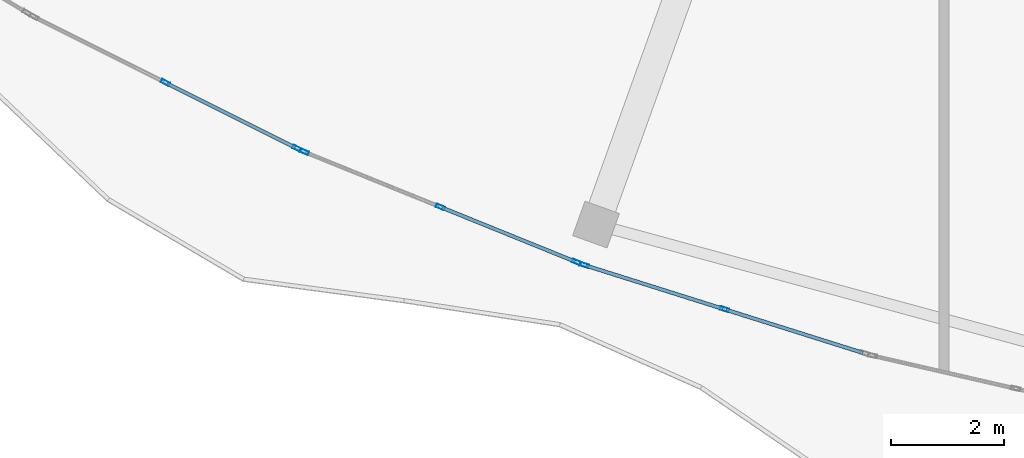
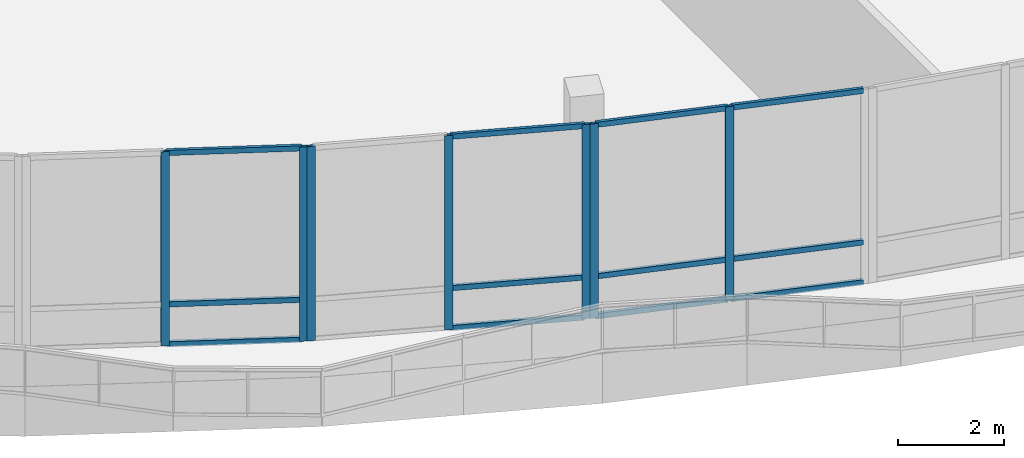
# One storey, part 13 of 155: 19 members, 3 elements without a shape of their own.
"""IFC4 building model written with IfcOpenShell, lengths in metres."""

import ifcopenshell
import ifcopenshell.guid

model = None  # the IFC model being written
_history = None  # IfcOwnerHistory: only IFC2X3 demands one
_inside = {}  # id of a spatial element -> (the spatial element, [elements in it])
_under = {}  # id of a project, library or spatial element -> (it, [spatial elements below it])
_declared = {}  # id of a project -> (the project, [libraries it declares])
_typed = {}  # id of a type object -> (the type object, [elements of that type])
_made_of = {}  # id of a material, layer set ... -> (it, [elements and type objects made of it])


def new_model(schema):
    """Start an empty IFC model of exactly this schema.

    Asked for "IFC4X3", IfcOpenShell would pick the latest addendum, in which some entities
    have other attributes; the version numbers below select the first issue.
    IFC2X3 requires an IfcOwnerHistory on every rooted entity: one is made here for all.
    """
    global model, _history
    if schema == "IFC4X3":
        model = ifcopenshell.file(schema_version=(4, 3, 0, 0))
    else:
        model = ifcopenshell.file(schema=schema)
    _inside.clear()
    _under.clear()
    _declared.clear()
    _typed.clear()
    _made_of.clear()
    _history = None
    if model.schema == "IFC2X3":
        org = make("IfcOrganization", Name="unknown")
        user = make(
            "IfcPersonAndOrganization",
            ThePerson=make("IfcPerson", FamilyName="unknown"),
            TheOrganization=org,
        )
        app = make(
            "IfcApplication",
            ApplicationDeveloper=org,
            Version="unknown",
            ApplicationFullName="unknown",
            ApplicationIdentifier="unknown",
        )
        _history = make(
            "IfcOwnerHistory",
            OwningUser=user,
            OwningApplication=app,
            ChangeAction="ADDED",
            CreationDate=0,
        )
    return model


def make(cls, **values):
    """One entity of the class cls with the attributes given. An attribute that is None is left unset."""
    return model.create_entity(
        cls, **{name: value for name, value in values.items() if value is not None}
    )


def rooted(cls, **values):
    """An entity with a GlobalId (a new one), such as an element, a storey or a relation."""
    return make(cls, GlobalId=ifcopenshell.guid.new(), OwnerHistory=_history, **values)


def si_unit(unit_type, name, prefix=None):
    """IfcSIUnit, for example si_unit("LENGTHUNIT", "METRE", prefix="MILLI")."""
    return make("IfcSIUnit", UnitType=unit_type, Prefix=prefix, Name=name)


def assignment(units):
    """IfcUnitAssignment: the units of a project."""
    return None if units is None else make("IfcUnitAssignment", Units=units)


def point(xyz):
    """IfcCartesianPoint."""
    return None if xyz is None else make("IfcCartesianPoint", Coordinates=xyz)


def direction(xyz):
    """IfcDirection."""
    return None if xyz is None else make("IfcDirection", DirectionRatios=xyz)


def frame(location, z_axis=None, x_axis=None):
    """IfcAxis2Placement3D, a coordinate frame: its origin and axes. An axis left out is left unset."""
    return make(
        "IfcAxis2Placement3D",
        Location=point(location),
        Axis=direction(z_axis),
        RefDirection=direction(x_axis),
    )


def frame_2d(location, x_axis=None):
    """IfcAxis2Placement2D, a coordinate frame in the plane: its origin and x axis."""
    return make(
        "IfcAxis2Placement2D", Location=point(location), RefDirection=direction(x_axis)
    )


def origin():
    """The frame at (0, 0, 0) with its axes left unset."""
    return frame((0.0, 0.0, 0.0))


def origin_2d():
    """The frame at (0, 0) in the plane with its x axis left unset."""
    return frame_2d((0.0, 0.0))


def place(relative_to, where):
    """IfcLocalPlacement: puts the frame where relative to a parent placement (None: the world)."""
    return make(
        "IfcLocalPlacement", PlacementRelTo=relative_to, RelativePlacement=where
    )


def context(
    kind, dimensions, precision=None, world=None, true_north=None, identifier=None
):
    """IfcGeometricRepresentationContext, for example the 3D "Model" context."""
    return make(
        "IfcGeometricRepresentationContext",
        ContextIdentifier=identifier,
        ContextType=kind,
        CoordinateSpaceDimension=dimensions,
        Precision=precision,
        WorldCoordinateSystem=world,
        TrueNorth=true_north,
    )


def subcontext(parent, identifier, kind, view, scale=None):
    """IfcGeometricRepresentationSubContext, for example "Body" below "Model"."""
    return make(
        "IfcGeometricRepresentationSubContext",
        ContextIdentifier=identifier,
        ContextType=kind,
        ParentContext=parent,
        TargetScale=scale,
        TargetView=view,
    )


def project(units=None, contexts=None):
    """IfcProject with its units and contexts."""
    return rooted(
        "IfcProject",
        Name="project",
        RepresentationContexts=contexts,
        UnitsInContext=assignment(units),
    )


def spatial(cls, under=None, at=None, **own):
    """A site, building, storey or space (cls), placed at a placement, below another one or the project."""
    s = rooted(cls, ObjectPlacement=at, **own)
    if under is not None:
        _under.setdefault(under.id(), (under, []))[1].append(s)
    return s


def profile(cls, at=None, kind="AREA", **sizes):
    """A parametric profile (cls). Its sizes go by their IFC names, for example OverallWidth=200.0."""
    return make(cls, ProfileType=kind, Position=at, **sizes)


def hollow_rectangle(**sizes):
    """IfcRectangleHollowProfileDef."""
    return profile("IfcRectangleHollowProfileDef", **sizes)


def extrude(swept, where, along, depth):
    """IfcExtrudedAreaSolid: the profile swept, set in the frame where, extruded along a direction by depth."""
    return make(
        "IfcExtrudedAreaSolid",
        SweptArea=swept,
        Position=where,
        ExtrudedDirection=direction(along),
        Depth=depth,
    )


def shape(context_of_items, identifier, shape_type, items):
    """IfcShapeRepresentation: the items that make up one representation, for example the "Body"."""
    return make(
        "IfcShapeRepresentation",
        ContextOfItems=context_of_items,
        RepresentationIdentifier=identifier,
        RepresentationType=shape_type,
        Items=items,
    )


def material(Name=None, Category=None):
    """IfcMaterial."""
    return make("IfcMaterial", Name=Name, Category=Category)


def material_profile(
    of_material, cross_section, Name=None, Category=None, Priority=None
):
    """IfcMaterialProfile: a cross section and its material."""
    return make(
        "IfcMaterialProfile",
        Name=Name,
        Material=of_material,
        Profile=cross_section,
        Priority=Priority,
        Category=Category,
    )


def profile_set(profiles, Name=None, composite=None):
    """IfcMaterialProfileSet."""
    return make(
        "IfcMaterialProfileSet",
        Name=Name,
        MaterialProfiles=profiles,
        CompositeProfile=composite,
    )


def made_of(thing, what):
    """Note that an element or type object is made of a material, layer set ...; save() writes the relation."""
    if what is not None:
        _made_of.setdefault(what.id(), (what, []))[1].append(thing)
    return thing


def type_object(cls, material=None, **own):
    """A type object (cls), such as IfcWallType, which elements share."""
    return made_of(rooted(cls, **own), material)


def element(
    cls,
    number,
    at=None,
    inside=None,
    cuts=None,
    type_object=None,
    material=None,
    context=None,
    identifier="Body",
    shape_type=None,
    held_by="IfcProductDefinitionShape",
    body=None,
    shapes=None,
    **own,
):
    """One element of the class cls, such as IfcWall. Its Tag is "e" and its number.

    at: its placement. inside: the storey or other place that contains it. cuts: it is an
    opening in that element (IfcRelVoidsElement). A single representation is given by context,
    identifier, shape_type and body (its items); several are given by shapes. held_by: the class
    of the entity that holds the representations. save() writes the other relations.
    """
    e = rooted(cls, Tag="e%d" % number, ObjectPlacement=at, **own)
    if body is not None:
        shapes = [shape(context, identifier, shape_type, body)]
    if shapes is not None:
        e.Representation = make(held_by, Representations=shapes)
    if inside is not None:
        _inside.setdefault(inside.id(), (inside, []))[1].append(e)
    if cuts is not None:
        rooted(
            "IfcRelVoidsElement", RelatingBuildingElement=cuts, RelatedOpeningElement=e
        )
    if type_object is not None:
        _typed.setdefault(type_object.id(), (type_object, []))[1].append(e)
    return made_of(e, material)


def aggregate(whole, parts):
    """IfcRelAggregates: a whole, such as a stair, and the parts it consists of."""
    return rooted("IfcRelAggregates", RelatingObject=whole, RelatedObjects=parts)


def save(model, path):
    """Write the relations noted so far, then the file.

    IfcRelAggregates (storeys below a building ...), IfcRelContainedInSpatialStructure (elements
    in a storey), IfcRelDefinesByType, IfcRelAssociatesMaterial and IfcRelDeclares: one each for
    every whole, place, type object, material and project.
    """
    for whole, parts in _under.values():
        aggregate(whole, parts)
    for where, things in _inside.values():
        rooted(
            "IfcRelContainedInSpatialStructure",
            RelatedElements=things,
            RelatingStructure=where,
        )
    for kind, things in _typed.values():
        rooted("IfcRelDefinesByType", RelatedObjects=things, RelatingType=kind)
    for what, things in _made_of.values():
        rooted("IfcRelAssociatesMaterial", RelatedObjects=things, RelatingMaterial=what)
    for by, libraries in _declared.values():
        rooted("IfcRelDeclares", RelatingContext=by, RelatedDefinitions=libraries)
    model.write(path)


model = new_model("IFC4")

# Units and contexts
model_context = context("Model", 3, precision=1e-05, world=origin(), true_north=direction((0.0, 1.0)))
body_context = subcontext(model_context, "Body", "Model", "MODEL_VIEW")
ifc_project = project(units=[si_unit("LENGTHUNIT", "METRE"), si_unit("AREAUNIT", "SQUARE_METRE"), si_unit("VOLUMEUNIT", "CUBIC_METRE"), si_unit("PLANEANGLEUNIT", "RADIAN"), si_unit("MASSUNIT", "GRAM", prefix="KILO")], contexts=[model_context])

# Site, building, storey
site_placement = place(None, origin())
site = spatial("IfcSite", under=ifc_project, at=site_placement, CompositionType="ELEMENT")
building_placement = place(site_placement, origin())
building = spatial("IfcBuilding", under=site, at=building_placement, Name="Selatvlak General Hospital", CompositionType="ELEMENT")
storey_placement = place(building_placement, frame((0.0, 0.0, 10.199951171875)))
storey = spatial("IfcBuildingStorey", under=building, at=storey_placement, Name="L02", CompositionType="ELEMENT", Elevation=10.199951171875)

# Curtain wall, members
ifc_material_1 = material(Name="Solar-control Low-E double glazing", Category="glass")
curtain_wall_type_1 = type_object("IfcCurtainWallType", Name="CW-CW-02", PredefinedType="USERDEFINED", material=ifc_material_1)
curtain_wall_1_placement = place(storey_placement, origin())
curtain_wall_1 = element("IfcCurtainWall", 1, at=curtain_wall_1_placement, inside=storey, type_object=curtain_wall_type_1, Name="Glazed facade curtain wall CW-L02-0310", ObjectType="UNITISED CURTAIN WALL", PredefinedType="USERDEFINED")
ifc_material_2 = material(Name="Dark anodised aluminium mullion", Category="aluminium")
ifc_material_profile_1 = material_profile(ifc_material_2, hollow_rectangle(XDim=0.06494140625, YDim=0.159912109375, WallThickness=0.00390625, at=origin_2d()), Name="AL-MUL 65x160x4")
ifc_profile_set_1 = profile_set([ifc_material_profile_1], Name="Dark anodised aluminium mullion")
member_type_1 = type_object("IfcMemberType", Name="CWM-01", PredefinedType="MULLION", material=ifc_profile_set_1)
member_1_placement = place(storey_placement, frame((35.700439453125, 15.180908203125, 0.0), z_axis=(0.0, 0.0, 1.0), x_axis=(-0.30046120424, -0.953794036858, 0.0)))
member_1 = element("IfcMember", 2, at=member_1_placement, type_object=member_type_1, Name="CW-02 mullion 2", PredefinedType="MULLION", context=body_context, shape_type="SweptSolid", body=[
    extrude(hollow_rectangle(XDim=0.06494140625, YDim=0.159912109375, WallThickness=0.00390625, at=origin_2d()), origin(), (0.0, 0.0, 1.0), 4.4599609375),
])
member_2_placement = place(storey_placement, frame((33.2109375, 15.96533203125, 0.0), z_axis=(0.0, 0.0, 1.0), x_axis=(-0.30046120424, -0.953794036858, 0.0)))
member_2 = element("IfcMember", 3, at=member_2_placement, type_object=member_type_1, Name="CW-02 mullion 3", PredefinedType="MULLION", context=body_context, shape_type="SweptSolid", body=[
    extrude(hollow_rectangle(XDim=0.06494140625, YDim=0.159912109375, WallThickness=0.00390625, at=origin_2d()), origin(), (0.0, 0.0, 1.0), 4.4599609375),
])

curtain_wall_type_2 = type_object("IfcCurtainWallType", Name="CW-CW-01", PredefinedType="USERDEFINED", material=ifc_material_1)
curtain_wall_2_placement = place(storey_placement, origin())
curtain_wall_2 = element("IfcCurtainWall", 4, at=curtain_wall_2_placement, inside=storey, type_object=curtain_wall_type_2, Name="Glazed facade curtain wall CW-L02-0311", ObjectType="UNITISED CURTAIN WALL", PredefinedType="USERDEFINED")
member_3_placement = place(storey_placement, frame((33.075927734375, 16.01708984375, 0.0), z_axis=(0.0, 0.0, 1.0), x_axis=(-0.375301112069, -0.926902948145, 0.0)))
member_3 = element("IfcMember", 5, at=member_3_placement, type_object=member_type_1, Name="CW-01 mullion 1", PredefinedType="MULLION", context=body_context, shape_type="SweptSolid", body=[
    extrude(hollow_rectangle(XDim=0.06494140625, YDim=0.159912109375, WallThickness=0.00390625, at=origin_2d()), origin(), (0.0, 0.0, 1.0), 4.4599609375),
])
member_4_placement = place(storey_placement, frame((30.656005859375, 16.9970703125, 0.0), z_axis=(0.0, 0.0, 1.0), x_axis=(-0.375301112069, -0.926902948145, 0.0)))
member_4 = element("IfcMember", 6, at=member_4_placement, type_object=member_type_1, Name="CW-01 mullion 2", PredefinedType="MULLION", context=body_context, shape_type="SweptSolid", body=[
    extrude(hollow_rectangle(XDim=0.06494140625, YDim=0.159912109375, WallThickness=0.00390625, at=origin_2d()), origin(), (0.0, 0.0, 1.0), 4.4599609375),
])
member_5_placement = place(storey_placement, frame((28.236083984375, 17.976806640625, 0.0), z_axis=(0.0, 0.0, 1.0), x_axis=(-0.375301112069, -0.926902948145, 0.0)))
member_5 = element("IfcMember", 7, at=member_5_placement, type_object=member_type_1, Name="CW-01 mullion 3", PredefinedType="MULLION", context=body_context, shape_type="SweptSolid", body=[
    extrude(hollow_rectangle(XDim=0.06494140625, YDim=0.159912109375, WallThickness=0.00390625, at=origin_2d()), origin(), (0.0, 0.0, 1.0), 4.4599609375),
])

curtain_wall_3_placement = place(storey_placement, origin())
curtain_wall_3 = element("IfcCurtainWall", 8, at=curtain_wall_3_placement, inside=storey, type_object=curtain_wall_type_1, Name="Glazed facade curtain wall CW-L02-0312", ObjectType="UNITISED CURTAIN WALL", PredefinedType="USERDEFINED")
member_6_placement = place(storey_placement, frame((28.10498046875, 18.03857421875, 0.0), z_axis=(0.0, 0.0, 1.0), x_axis=(-0.44759190875, -0.894237934345, 0.0)))
member_6 = element("IfcMember", 9, at=member_6_placement, type_object=member_type_1, Name="CW-02 mullion 1", PredefinedType="MULLION", context=body_context, shape_type="SweptSolid", body=[
    extrude(hollow_rectangle(XDim=0.06494140625, YDim=0.159912109375, WallThickness=0.00390625, at=origin_2d()), origin(), (0.0, 0.0, 1.0), 4.4599609375),
])
member_7_placement = place(storey_placement, frame((25.7705078125, 19.20703125, 0.0), z_axis=(0.0, 0.0, 1.0), x_axis=(-0.44759190875, -0.894237934345, 0.0)))
member_7 = element("IfcMember", 10, at=member_7_placement, type_object=member_type_1, Name="CW-02 mullion 2", PredefinedType="MULLION", context=body_context, shape_type="SweptSolid", body=[
    extrude(hollow_rectangle(XDim=0.06494140625, YDim=0.159912109375, WallThickness=0.00390625, at=origin_2d()), origin(), (0.0, 0.0, 1.0), 4.4599609375),
])

# Member
ifc_material_profile_2 = material_profile(ifc_material_2, hollow_rectangle(XDim=0.06494140625, YDim=0.1201171875, WallThickness=0.00390625, at=origin_2d()), Name="AL-TRN 65x120x4")
ifc_profile_set_2 = profile_set([ifc_material_profile_2], Name="Dark anodised aluminium mullion")
member_type_2 = type_object("IfcMemberType", Name="CWT-01", PredefinedType="USERDEFINED", material=ifc_profile_set_2)
member_8_placement = place(storey_placement, frame((38.158935546875, 14.406494140625, 0.032470703125), z_axis=(-0.953799882709, 0.300442646349, 0.0), x_axis=(-0.300442646349, -0.953799882709, 0.0)))
member_8 = element("IfcMember", 11, at=member_8_placement, type_object=member_type_2, Name="CW-02 transom 1.1", ObjectType="TRANSOM", PredefinedType="USERDEFINED", context=body_context, shape_type="SweptSolid", body=[
    extrude(hollow_rectangle(XDim=0.06494140625, YDim=0.1201171875, WallThickness=0.00390625, at=origin_2d()), origin(), (0.0, 0.0, 1.0), 2.545166015625),
])

member_9_placement = place(storey_placement, frame((38.158935546875, 14.406494140625, 0.949951171875), z_axis=(-0.953799882709, 0.300442646349, 0.0), x_axis=(-0.300442646349, -0.953799882709, 0.0)))
member_9 = element("IfcMember", 12, at=member_9_placement, type_object=member_type_2, Name="CW-02 transom 1.2", ObjectType="TRANSOM", PredefinedType="USERDEFINED", context=body_context, shape_type="SweptSolid", body=[
    extrude(hollow_rectangle(XDim=0.06494140625, YDim=0.1201171875, WallThickness=0.00390625, at=origin_2d()), origin(), (0.0, 0.0, 1.0), 2.545166015625),
])

member_10_placement = place(storey_placement, frame((38.158935546875, 14.406494140625, 4.427490234375), z_axis=(-0.953799882709, 0.300442646349, 0.0), x_axis=(-0.300442646349, -0.953799882709, 0.0)))
member_10 = element("IfcMember", 13, at=member_10_placement, type_object=member_type_2, Name="CW-02 transom 1.3", ObjectType="TRANSOM", PredefinedType="USERDEFINED", context=body_context, shape_type="SweptSolid", body=[
    extrude(hollow_rectangle(XDim=0.06494140625, YDim=0.1201171875, WallThickness=0.00390625, at=origin_2d()), origin(), (0.0, 0.0, 1.0), 2.545166015625),
])

member_11_placement = place(storey_placement, frame((35.66943359375, 15.190673828125, 0.032470703125), z_axis=(-0.953772390526, 0.300529910441, 0.0), x_axis=(-0.300529910441, -0.953772390526, 0.0)))
member_11 = element("IfcMember", 14, at=member_11_placement, type_object=member_type_2, Name="CW-02 transom 2.1", ObjectType="TRANSOM", PredefinedType="USERDEFINED", context=body_context, shape_type="SweptSolid", body=[
    extrude(hollow_rectangle(XDim=0.06494140625, YDim=0.1201171875, WallThickness=0.00390625, at=origin_2d()), origin(), (0.0, 0.0, 1.0), 2.545166015625),
])

member_12_placement = place(storey_placement, frame((35.66943359375, 15.190673828125, 0.949951171875), z_axis=(-0.953772390526, 0.300529910441, 0.0), x_axis=(-0.300529910441, -0.953772390526, 0.0)))
member_12 = element("IfcMember", 15, at=member_12_placement, type_object=member_type_2, Name="CW-02 transom 2.2", ObjectType="TRANSOM", PredefinedType="USERDEFINED", context=body_context, shape_type="SweptSolid", body=[
    extrude(hollow_rectangle(XDim=0.06494140625, YDim=0.1201171875, WallThickness=0.00390625, at=origin_2d()), origin(), (0.0, 0.0, 1.0), 2.545166015625),
])

member_13_placement = place(storey_placement, frame((35.66943359375, 15.190673828125, 4.427490234375), z_axis=(-0.953772390526, 0.300529910441, 0.0), x_axis=(-0.300529910441, -0.953772390526, 0.0)))
member_13 = element("IfcMember", 16, at=member_13_placement, type_object=member_type_2, Name="CW-02 transom 2.3", ObjectType="TRANSOM", PredefinedType="USERDEFINED", context=body_context, shape_type="SweptSolid", body=[
    extrude(hollow_rectangle(XDim=0.06494140625, YDim=0.1201171875, WallThickness=0.00390625, at=origin_2d()), origin(), (0.0, 0.0, 1.0), 2.545166015625),
])

aggregate(curtain_wall_1, [member_1, member_2, member_8, member_9, member_10, member_11, member_12, member_13])

member_14_placement = place(storey_placement, frame((33.045654296875, 16.029296875, 0.032470703125), z_axis=(-0.926880887581, 0.375355591722, 0.0), x_axis=(-0.375355591722, -0.926880887581, 0.0)))
member_14 = element("IfcMember", 17, at=member_14_placement, type_object=member_type_2, Name="CW-01 transom 1.1", ObjectType="TRANSOM", PredefinedType="USERDEFINED", context=body_context, shape_type="SweptSolid", body=[
    extrude(hollow_rectangle(XDim=0.06494140625, YDim=0.1201171875, WallThickness=0.00390625, at=origin_2d()), origin(), (0.0, 0.0, 1.0), 2.545654296875),
])

member_15_placement = place(storey_placement, frame((33.045654296875, 16.029296875, 0.949951171875), z_axis=(-0.926880887581, 0.375355591722, 0.0), x_axis=(-0.375355591722, -0.926880887581, 0.0)))
member_15 = element("IfcMember", 18, at=member_15_placement, type_object=member_type_2, Name="CW-01 transom 1.2", ObjectType="TRANSOM", PredefinedType="USERDEFINED", context=body_context, shape_type="SweptSolid", body=[
    extrude(hollow_rectangle(XDim=0.06494140625, YDim=0.1201171875, WallThickness=0.00390625, at=origin_2d()), origin(), (0.0, 0.0, 1.0), 2.545654296875),
])

member_16_placement = place(storey_placement, frame((33.045654296875, 16.029296875, 4.427490234375), z_axis=(-0.926880887581, 0.375355591722, 0.0), x_axis=(-0.375355591722, -0.926880887581, 0.0)))
member_16 = element("IfcMember", 19, at=member_16_placement, type_object=member_type_2, Name="CW-01 transom 1.3", ObjectType="TRANSOM", PredefinedType="USERDEFINED", context=body_context, shape_type="SweptSolid", body=[
    extrude(hollow_rectangle(XDim=0.06494140625, YDim=0.1201171875, WallThickness=0.00390625, at=origin_2d()), origin(), (0.0, 0.0, 1.0), 2.545654296875),
])

aggregate(curtain_wall_2, [member_3, member_4, member_5, member_14, member_15, member_16])

member_17_placement = place(storey_placement, frame((28.075927734375, 18.052978515625, 0.032470703125), z_axis=(-0.894235295067, 0.44759718169, 0.0), x_axis=(-0.44759718169, -0.894235295067, 0.0)))
member_17 = element("IfcMember", 20, at=member_17_placement, type_object=member_type_2, Name="CW-02 transom 1.1", ObjectType="TRANSOM", PredefinedType="USERDEFINED", context=body_context, shape_type="SweptSolid", body=[
    extrude(hollow_rectangle(XDim=0.06494140625, YDim=0.1201171875, WallThickness=0.00390625, at=origin_2d()), origin(), (0.0, 0.0, 1.0), 2.545654296875),
])

member_18_placement = place(storey_placement, frame((28.075927734375, 18.052978515625, 0.949951171875), z_axis=(-0.894235295067, 0.44759718169, 0.0), x_axis=(-0.44759718169, -0.894235295067, 0.0)))
member_18 = element("IfcMember", 21, at=member_18_placement, type_object=member_type_2, Name="CW-02 transom 1.2", ObjectType="TRANSOM", PredefinedType="USERDEFINED", context=body_context, shape_type="SweptSolid", body=[
    extrude(hollow_rectangle(XDim=0.06494140625, YDim=0.1201171875, WallThickness=0.00390625, at=origin_2d()), origin(), (0.0, 0.0, 1.0), 2.545654296875),
])

member_19_placement = place(storey_placement, frame((28.075927734375, 18.052978515625, 4.427490234375), z_axis=(-0.894235295067, 0.44759718169, 0.0), x_axis=(-0.44759718169, -0.894235295067, 0.0)))
member_19 = element("IfcMember", 22, at=member_19_placement, type_object=member_type_2, Name="CW-02 transom 1.3", ObjectType="TRANSOM", PredefinedType="USERDEFINED", context=body_context, shape_type="SweptSolid", body=[
    extrude(hollow_rectangle(XDim=0.06494140625, YDim=0.1201171875, WallThickness=0.00390625, at=origin_2d()), origin(), (0.0, 0.0, 1.0), 2.545654296875),
])

aggregate(curtain_wall_3, [member_6, member_7, member_17, member_18, member_19])

save(model, "model.ifc")
